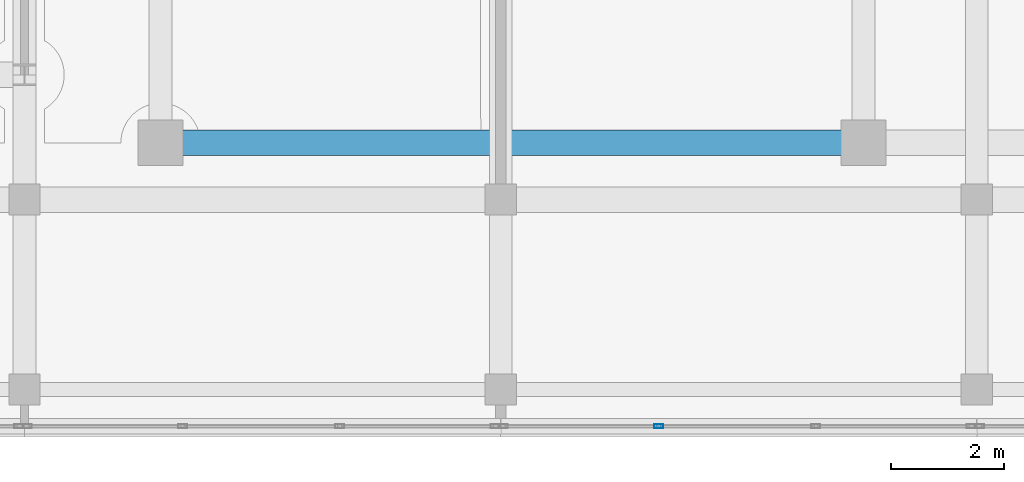
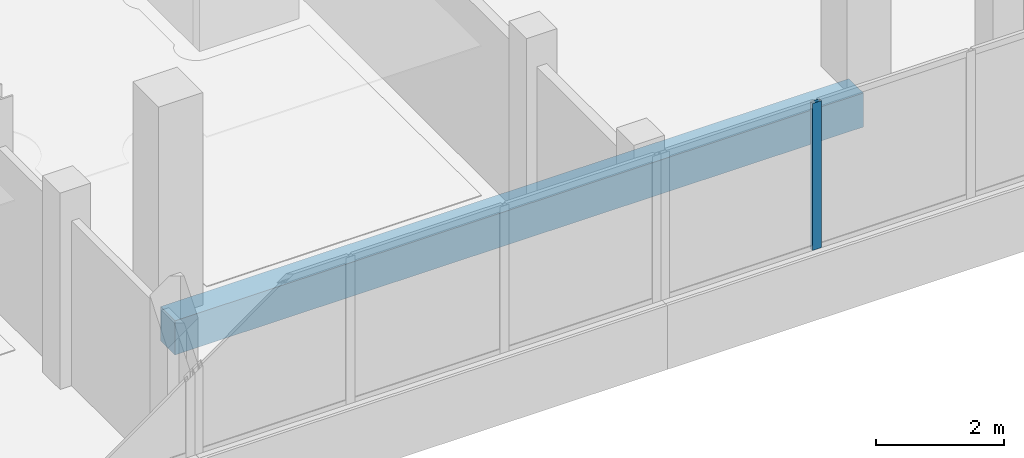
# One storey, part 17 of 67: 1 beam, 1 member, 1 element without a shape of its own.
"""IFC4 building model written with IfcOpenShell, lengths in metres."""

import ifcopenshell
import ifcopenshell.guid

model = None  # the IFC model being written
_history = None  # IfcOwnerHistory: only IFC2X3 demands one
_inside = {}  # id of a spatial element -> (the spatial element, [elements in it])
_under = {}  # id of a project, library or spatial element -> (it, [spatial elements below it])
_declared = {}  # id of a project -> (the project, [libraries it declares])
_typed = {}  # id of a type object -> (the type object, [elements of that type])
_made_of = {}  # id of a material, layer set ... -> (it, [elements and type objects made of it])


def new_model(schema):
    """Start an empty IFC model of exactly this schema.

    Asked for "IFC4X3", IfcOpenShell would pick the latest addendum, in which some entities
    have other attributes; the version numbers below select the first issue.
    IFC2X3 requires an IfcOwnerHistory on every rooted entity: one is made here for all.
    """
    global model, _history
    if schema == "IFC4X3":
        model = ifcopenshell.file(schema_version=(4, 3, 0, 0))
    else:
        model = ifcopenshell.file(schema=schema)
    _inside.clear()
    _under.clear()
    _declared.clear()
    _typed.clear()
    _made_of.clear()
    _history = None
    if model.schema == "IFC2X3":
        org = make("IfcOrganization", Name="unknown")
        user = make(
            "IfcPersonAndOrganization",
            ThePerson=make("IfcPerson", FamilyName="unknown"),
            TheOrganization=org,
        )
        app = make(
            "IfcApplication",
            ApplicationDeveloper=org,
            Version="unknown",
            ApplicationFullName="unknown",
            ApplicationIdentifier="unknown",
        )
        _history = make(
            "IfcOwnerHistory",
            OwningUser=user,
            OwningApplication=app,
            ChangeAction="ADDED",
            CreationDate=0,
        )
    return model


def make(cls, **values):
    """One entity of the class cls with the attributes given. An attribute that is None is left unset."""
    return model.create_entity(
        cls, **{name: value for name, value in values.items() if value is not None}
    )


def rooted(cls, **values):
    """An entity with a GlobalId (a new one), such as an element, a storey or a relation."""
    return make(cls, GlobalId=ifcopenshell.guid.new(), OwnerHistory=_history, **values)


def si_unit(unit_type, name, prefix=None):
    """IfcSIUnit, for example si_unit("LENGTHUNIT", "METRE", prefix="MILLI")."""
    return make("IfcSIUnit", UnitType=unit_type, Prefix=prefix, Name=name)


def assignment(units):
    """IfcUnitAssignment: the units of a project."""
    return None if units is None else make("IfcUnitAssignment", Units=units)


def point(xyz):
    """IfcCartesianPoint."""
    return None if xyz is None else make("IfcCartesianPoint", Coordinates=xyz)


def direction(xyz):
    """IfcDirection."""
    return None if xyz is None else make("IfcDirection", DirectionRatios=xyz)


def frame(location, z_axis=None, x_axis=None):
    """IfcAxis2Placement3D, a coordinate frame: its origin and axes. An axis left out is left unset."""
    return make(
        "IfcAxis2Placement3D",
        Location=point(location),
        Axis=direction(z_axis),
        RefDirection=direction(x_axis),
    )


def frame_2d(location, x_axis=None):
    """IfcAxis2Placement2D, a coordinate frame in the plane: its origin and x axis."""
    return make(
        "IfcAxis2Placement2D", Location=point(location), RefDirection=direction(x_axis)
    )


def origin():
    """The frame at (0, 0, 0) with its axes left unset."""
    return frame((0.0, 0.0, 0.0))


def origin_2d():
    """The frame at (0, 0) in the plane with its x axis left unset."""
    return frame_2d((0.0, 0.0))


def place(relative_to, where):
    """IfcLocalPlacement: puts the frame where relative to a parent placement (None: the world)."""
    return make(
        "IfcLocalPlacement", PlacementRelTo=relative_to, RelativePlacement=where
    )


def context(
    kind, dimensions, precision=None, world=None, true_north=None, identifier=None
):
    """IfcGeometricRepresentationContext, for example the 3D "Model" context."""
    return make(
        "IfcGeometricRepresentationContext",
        ContextIdentifier=identifier,
        ContextType=kind,
        CoordinateSpaceDimension=dimensions,
        Precision=precision,
        WorldCoordinateSystem=world,
        TrueNorth=true_north,
    )


def subcontext(parent, identifier, kind, view, scale=None):
    """IfcGeometricRepresentationSubContext, for example "Body" below "Model"."""
    return make(
        "IfcGeometricRepresentationSubContext",
        ContextIdentifier=identifier,
        ContextType=kind,
        ParentContext=parent,
        TargetScale=scale,
        TargetView=view,
    )


def project(units=None, contexts=None):
    """IfcProject with its units and contexts."""
    return rooted(
        "IfcProject",
        Name="project",
        RepresentationContexts=contexts,
        UnitsInContext=assignment(units),
    )


def spatial(cls, under=None, at=None, **own):
    """A site, building, storey or space (cls), placed at a placement, below another one or the project."""
    s = rooted(cls, ObjectPlacement=at, **own)
    if under is not None:
        _under.setdefault(under.id(), (under, []))[1].append(s)
    return s


def profile(cls, at=None, kind="AREA", **sizes):
    """A parametric profile (cls). Its sizes go by their IFC names, for example OverallWidth=200.0."""
    return make(cls, ProfileType=kind, Position=at, **sizes)


def rectangle(**sizes):
    """IfcRectangleProfileDef."""
    return profile("IfcRectangleProfileDef", **sizes)


def hollow_rectangle(**sizes):
    """IfcRectangleHollowProfileDef."""
    return profile("IfcRectangleHollowProfileDef", **sizes)


def extrude(swept, where, along, depth):
    """IfcExtrudedAreaSolid: the profile swept, set in the frame where, extruded along a direction by depth."""
    return make(
        "IfcExtrudedAreaSolid",
        SweptArea=swept,
        Position=where,
        ExtrudedDirection=direction(along),
        Depth=depth,
    )


def shape(context_of_items, identifier, shape_type, items):
    """IfcShapeRepresentation: the items that make up one representation, for example the "Body"."""
    return make(
        "IfcShapeRepresentation",
        ContextOfItems=context_of_items,
        RepresentationIdentifier=identifier,
        RepresentationType=shape_type,
        Items=items,
    )


def material(Name=None, Category=None):
    """IfcMaterial."""
    return make("IfcMaterial", Name=Name, Category=Category)


def material_profile(
    of_material, cross_section, Name=None, Category=None, Priority=None
):
    """IfcMaterialProfile: a cross section and its material."""
    return make(
        "IfcMaterialProfile",
        Name=Name,
        Material=of_material,
        Profile=cross_section,
        Priority=Priority,
        Category=Category,
    )


def profile_set(profiles, Name=None, composite=None):
    """IfcMaterialProfileSet."""
    return make(
        "IfcMaterialProfileSet",
        Name=Name,
        MaterialProfiles=profiles,
        CompositeProfile=composite,
    )


def made_of(thing, what):
    """Note that an element or type object is made of a material, layer set ...; save() writes the relation."""
    if what is not None:
        _made_of.setdefault(what.id(), (what, []))[1].append(thing)
    return thing


def type_object(cls, material=None, **own):
    """A type object (cls), such as IfcWallType, which elements share."""
    return made_of(rooted(cls, **own), material)


def element(
    cls,
    number,
    at=None,
    inside=None,
    cuts=None,
    type_object=None,
    material=None,
    context=None,
    identifier="Body",
    shape_type=None,
    held_by="IfcProductDefinitionShape",
    body=None,
    shapes=None,
    **own,
):
    """One element of the class cls, such as IfcWall. Its Tag is "e" and its number.

    at: its placement. inside: the storey or other place that contains it. cuts: it is an
    opening in that element (IfcRelVoidsElement). A single representation is given by context,
    identifier, shape_type and body (its items); several are given by shapes. held_by: the class
    of the entity that holds the representations. save() writes the other relations.
    """
    e = rooted(cls, Tag="e%d" % number, ObjectPlacement=at, **own)
    if body is not None:
        shapes = [shape(context, identifier, shape_type, body)]
    if shapes is not None:
        e.Representation = make(held_by, Representations=shapes)
    if inside is not None:
        _inside.setdefault(inside.id(), (inside, []))[1].append(e)
    if cuts is not None:
        rooted(
            "IfcRelVoidsElement", RelatingBuildingElement=cuts, RelatedOpeningElement=e
        )
    if type_object is not None:
        _typed.setdefault(type_object.id(), (type_object, []))[1].append(e)
    return made_of(e, material)


def aggregate(whole, parts):
    """IfcRelAggregates: a whole, such as a stair, and the parts it consists of."""
    return rooted("IfcRelAggregates", RelatingObject=whole, RelatedObjects=parts)


def save(model, path):
    """Write the relations noted so far, then the file.

    IfcRelAggregates (storeys below a building ...), IfcRelContainedInSpatialStructure (elements
    in a storey), IfcRelDefinesByType, IfcRelAssociatesMaterial and IfcRelDeclares: one each for
    every whole, place, type object, material and project.
    """
    for whole, parts in _under.values():
        aggregate(whole, parts)
    for where, things in _inside.values():
        rooted(
            "IfcRelContainedInSpatialStructure",
            RelatedElements=things,
            RelatingStructure=where,
        )
    for kind, things in _typed.values():
        rooted("IfcRelDefinesByType", RelatedObjects=things, RelatingType=kind)
    for what, things in _made_of.values():
        rooted("IfcRelAssociatesMaterial", RelatedObjects=things, RelatingMaterial=what)
    for by, libraries in _declared.values():
        rooted("IfcRelDeclares", RelatingContext=by, RelatedDefinitions=libraries)
    model.write(path)


model = new_model("IFC4")

# Units and contexts
model_context = context("Model", 3, precision=1e-05, world=origin(), true_north=direction((0.0, 1.0)))
body_context = subcontext(model_context, "Body", "Model", "MODEL_VIEW")
ifc_project = project(units=[si_unit("LENGTHUNIT", "METRE"), si_unit("AREAUNIT", "SQUARE_METRE"), si_unit("VOLUMEUNIT", "CUBIC_METRE"), si_unit("PLANEANGLEUNIT", "RADIAN"), si_unit("MASSUNIT", "GRAM", prefix="KILO")], contexts=[model_context])

# Site, building, storey
site_placement = place(None, origin())
site = spatial("IfcSite", under=ifc_project, at=site_placement, CompositionType="ELEMENT")
building_placement = place(site_placement, origin())
building = spatial("IfcBuilding", under=site, at=building_placement, Name="Selatvlak General Hospital", CompositionType="ELEMENT")
storey_placement = place(building_placement, frame((0.0, 0.0, 35.39990234375)))
storey = spatial("IfcBuildingStorey", under=building, at=storey_placement, Name="L08", CompositionType="ELEMENT", Elevation=35.39990234375)

# Beam
ifc_material_1 = material(Name="Concrete C40/50", Category="concrete")
ifc_material_profile_1 = material_profile(ifc_material_1, rectangle(XDim=0.449951171875, YDim=0.64990234375, at=origin_2d()), Name="RC-BM 450x650")
ifc_profile_set_1 = profile_set([ifc_material_profile_1], Name="Concrete C40/50")
beam_type = type_object("IfcBeamType", Name="BM-G04", PredefinedType="BEAM", material=ifc_profile_set_1)
beam_placement = place(storey_placement, frame((58.800048828125, 93.0, -0.58984375), z_axis=(1.0, 0.0, 0.0), x_axis=(0.0, 1.0, 0.0)))
element("IfcBeam", 1, at=beam_placement, inside=storey, type_object=beam_type, Name="Beam BMR-L08-2586", PredefinedType="BEAM", context=body_context, shape_type="SweptSolid", body=[
    extrude(rectangle(XDim=0.449951171875, YDim=0.64990234375, at=origin_2d()), origin(), (0.0, 0.0, 1.0), 12.39990234375),
])

# Curtain wall, member
ifc_material_2 = material(Name="Solar-control Low-E double glazing", Category="glass")
curtain_wall_type = type_object("IfcCurtainWallType", Name="CW-CW-02", PredefinedType="USERDEFINED", material=ifc_material_2)
curtain_wall_placement = place(storey_placement, origin())
curtain_wall = element("IfcCurtainWall", 2, at=curtain_wall_placement, inside=storey, type_object=curtain_wall_type, Name="Glazed facade curtain wall CW-L08-0711", ObjectType="UNITISED CURTAIN WALL", PredefinedType="USERDEFINED")
ifc_material_3 = material(Name="Dark anodised aluminium mullion", Category="aluminium")
ifc_material_profile_2 = material_profile(ifc_material_3, hollow_rectangle(XDim=0.06494140625, YDim=0.159912109375, WallThickness=0.00390625, at=origin_2d()), Name="AL-MUL 65x160x4")
ifc_profile_set_2 = profile_set([ifc_material_profile_2], Name="Dark anodised aluminium mullion")
member_type = type_object("IfcMemberType", Name="CWM-01", PredefinedType="MULLION", material=ifc_profile_set_2)
member_placement = place(storey_placement, frame((67.58837890625, 88.0, 0.940185546875), z_axis=(0.0, 0.0, 1.0), x_axis=(0.0, -1.0, 0.0)))
member = element("IfcMember", 3, at=member_placement, type_object=member_type, Name="CW-02 mullion 3", PredefinedType="MULLION", context=body_context, shape_type="SweptSolid", body=[
    extrude(hollow_rectangle(XDim=0.06494140625, YDim=0.159912109375, WallThickness=0.00390625, at=origin_2d()), origin(), (0.0, 0.0, 1.0), 2.7998046875),
])
aggregate(curtain_wall, [member])

save(model, "model.ifc")
